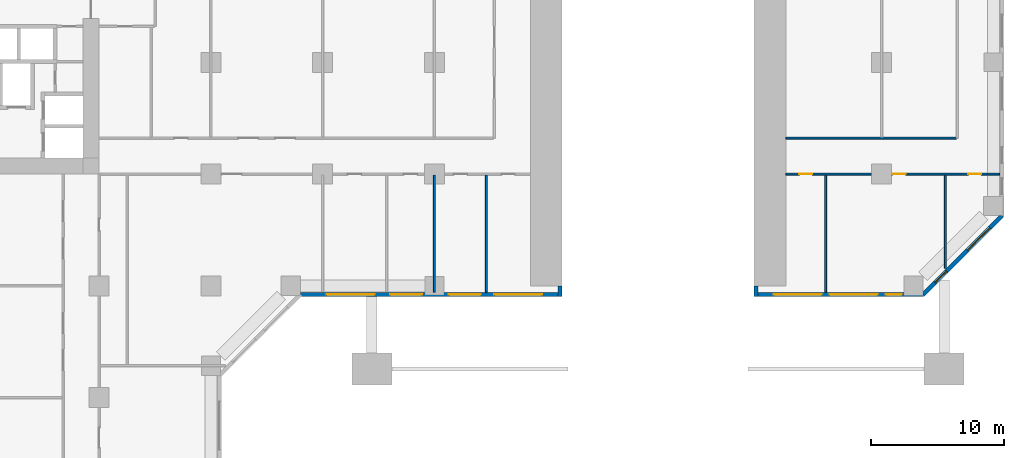
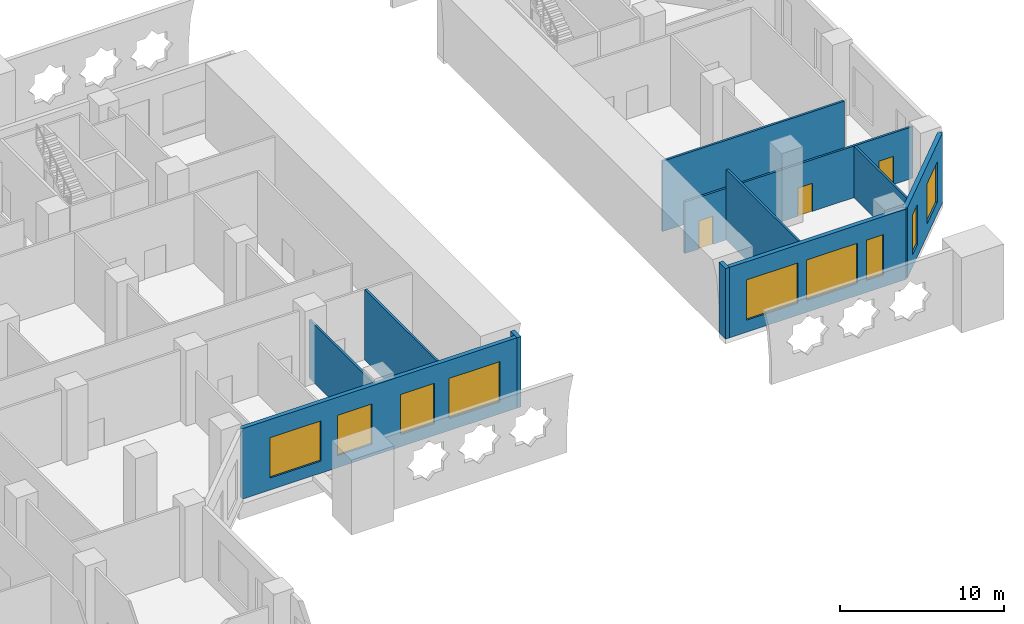
# One storey, part 6 of 17: 11 walls, 9 windows, 3 doors, 12 openings.
"""IFC4 building model written with IfcOpenShell, lengths in metres."""

from ifc_helpers import new_model, si_unit, direction, frame, frame_2d, origin, place, context, subcontext, project, spatial, rectangle, extrude, material, layer, layer_set, type_object, element, fill, save


model = new_model("IFC4")

# Units and contexts
model_context = context("Model", 3, precision=1e-05, world=origin(), true_north=direction((0.0, 1.0)))
body_context = subcontext(model_context, "Body", "Model", "MODEL_VIEW")
ifc_project = project(units=[si_unit("LENGTHUNIT", "METRE"), si_unit("AREAUNIT", "SQUARE_METRE"), si_unit("VOLUMEUNIT", "CUBIC_METRE"), si_unit("PLANEANGLEUNIT", "RADIAN"), si_unit("MASSUNIT", "GRAM", prefix="KILO")], contexts=[model_context])

# Site, building, storey
site_placement = place(None, origin())
site = spatial("IfcSite", under=ifc_project, at=site_placement, CompositionType="ELEMENT")
building_placement = place(site_placement, origin())
building = spatial("IfcBuilding", under=site, at=building_placement, Name="Kawkab Arch Medical Tower", CompositionType="ELEMENT")
storey_placement = place(building_placement, frame((0.0, 0.0, 7.0)))
storey = spatial("IfcBuildingStorey", under=building, at=storey_placement, Name="L02", CompositionType="ELEMENT", Elevation=7.0)

# Wall, openings, doors
ifc_material_1 = material(Name="Gypsum board partition on steel studs, mineral wool", Category="steel")
ifc_layer_1 = layer(ifc_material_1, 0.14990234375)
ifc_layer_set_1 = layer_set([ifc_layer_1], Name="Gypsum board partition on steel studs, mineral wool")
wall_type_1 = type_object("IfcWallType", Name="Partition 150", PredefinedType="PARTITIONING", material=ifc_layer_set_1)
wall_1_placement = place(storey_placement, frame((76.800048828125, -25.199951171875, 0.0), z_axis=(0.0, 0.0, 1.0), x_axis=(1.0, 0.0, 0.0)))
wall_1 = element("IfcWall", 1, at=wall_1_placement, inside=storey, type_object=wall_type_1, Name="Partition 150 w029", PredefinedType="PARTITIONING", context=body_context, shape_type="SweptSolid", body=[
    extrude(rectangle(XDim=16.079833984375, YDim=0.14990234375, at=frame_2d((8.0400390625, 0.0))), origin(), (0.0, 0.0, 1.0), 3.85009765625),
])
opening_1_placement = place(wall_1_placement, frame((1.0, 0.0, 0.0)))
opening_1 = element("IfcOpeningElement", 2, at=opening_1_placement, cuts=wall_1, Name="Opening P02-040", PredefinedType="OPENING", context=body_context, shape_type="SweptSolid", body=[
    extrude(rectangle(XDim=1.0, YDim=2.10009765625, at=frame_2d((0.5, 1.050048828125))), frame((0.0, 0.0849609375, 0.0), z_axis=(0.0, -1.0, 0.0), x_axis=(1.0, 0.0, 0.0)), (0.0, 0.0, 1.0), 0.169921875),
])
opening_2_placement = place(wall_1_placement, frame((8.0, 0.0, 0.0)))
opening_2 = element("IfcOpeningElement", 3, at=opening_2_placement, cuts=wall_1, Name="Opening P02-041", PredefinedType="OPENING", context=body_context, shape_type="SweptSolid", body=[
    extrude(rectangle(XDim=1.0, YDim=2.10009765625, at=frame_2d((0.5, 1.050048828125))), frame((0.0, 0.0849609375, 0.0), z_axis=(0.0, -1.0, 0.0), x_axis=(1.0, 0.0, 0.0)), (0.0, 0.0, 1.0), 0.169921875),
])
opening_3_placement = place(wall_1_placement, frame((13.699951171875, 0.0, 0.0)))
opening_3 = element("IfcOpeningElement", 4, at=opening_3_placement, cuts=wall_1, Name="Opening P02-042", PredefinedType="OPENING", context=body_context, shape_type="SweptSolid", body=[
    extrude(rectangle(XDim=1.0, YDim=2.10009765625, at=frame_2d((0.5, 1.050048828125))), frame((0.0, 0.0849609375, 0.0), z_axis=(0.0, -1.0, 0.0), x_axis=(1.0, 0.0, 0.0)), (0.0, 0.0, 1.0), 0.169921875),
])
ifc_material_2 = material(Name="Hollow metal door leaf")
door_type = type_object("IfcDoorType", Name="Single door 1000x2100 FD30S", OperationType="NOTDEFINED", PredefinedType="DOOR", material=ifc_material_2)
door_1_placement = place(opening_1_placement, origin())
door_1 = element("IfcDoor", 5, at=door_1_placement, inside=storey, type_object=door_type, Name="Door P02-040", OperationType="SINGLE_SWING_RIGHT", OverallHeight=2.10009765625, OverallWidth=1.0, PredefinedType="DOOR", context=body_context, shape_type="SweptSolid", body=[
    extrude(rectangle(XDim=1.0, YDim=2.10009765625, at=frame_2d((0.5, 1.050048828125))), frame((0.0, 0.02490234375, 0.0), z_axis=(0.0, -1.0, 0.0), x_axis=(1.0, 0.0, 0.0)), (0.0, 0.0, 1.0), 0.050048828125),
])
fill(opening_1, door_1)
door_2_placement = place(opening_2_placement, origin())
door_2 = element("IfcDoor", 6, at=door_2_placement, inside=storey, type_object=door_type, Name="Door P02-041", OperationType="SINGLE_SWING_LEFT", OverallHeight=2.10009765625, OverallWidth=1.0, PredefinedType="DOOR", context=body_context, shape_type="SweptSolid", body=[
    extrude(rectangle(XDim=1.0, YDim=2.10009765625, at=frame_2d((0.5, 1.050048828125))), frame((0.0, 0.02490234375, 0.0), z_axis=(0.0, -1.0, 0.0), x_axis=(1.0, 0.0, 0.0)), (0.0, 0.0, 1.0), 0.050048828125),
])
fill(opening_2, door_2)
door_3_placement = place(opening_3_placement, origin())
door_3 = element("IfcDoor", 7, at=door_3_placement, inside=storey, type_object=door_type, Name="Door P02-042", OperationType="SINGLE_SWING_LEFT", OverallHeight=2.10009765625, OverallWidth=1.0, PredefinedType="DOOR", context=body_context, shape_type="SweptSolid", body=[
    extrude(rectangle(XDim=1.0, YDim=2.10009765625, at=frame_2d((0.5, 1.050048828125))), frame((0.0, 0.02490234375, 0.0), z_axis=(0.0, -1.0, 0.0), x_axis=(1.0, 0.0, 0.0)), (0.0, 0.0, 1.0), 0.050048828125),
])
fill(opening_3, door_3)

# Walls
wall_2_placement = place(storey_placement, frame((76.800048828125, -22.5, 0.0), z_axis=(0.0, 0.0, 1.0), x_axis=(1.0, 0.0, 0.0)))
element("IfcWall", 8, at=wall_2_placement, inside=storey, type_object=wall_type_1, Name="Partition 150 w031", PredefinedType="PARTITIONING", context=body_context, shape_type="SweptSolid", body=[
    extrude(rectangle(XDim=12.824951171875, YDim=0.14990234375, at=frame_2d((6.41259765625, 0.0))), origin(), (0.0, 0.0, 1.0), 5.25),
])
wall_3_placement = place(storey_placement, frame((50.39990234375, -34.080078125, 0.0), z_axis=(0.0, 0.0, 1.0), x_axis=(0.0, 1.0, 0.0)))
element("IfcWall", 9, at=wall_3_placement, inside=storey, type_object=wall_type_1, Name="Partition 150 w064", PredefinedType="PARTITIONING", context=body_context, shape_type="SweptSolid", body=[
    extrude(rectangle(XDim=8.80517578125, YDim=0.14990234375, at=frame_2d((4.402587890625, 0.0))), origin(), (0.0, 0.0, 1.0), 4.35009765625),
])
for number, where, z_axis, x_axis, name in (
    (10, (54.300048828125, -34.080078125, 0.0), (0.0, 0.0, 1.0), (0.0, 1.0, 0.0), "Partition 150 w068"),
    (11, (79.800048828125, -34.080078125, 0.0), (0.0, 0.0, 1.0), (0.0, 1.0, 0.0), "Partition 150 w070"),
):
    element("IfcWall", number, at=place(storey_placement, frame(where, z_axis=z_axis, x_axis=x_axis)), inside=storey, type_object=wall_type_1, Name=name, PredefinedType="PARTITIONING", context=body_context, shape_type="SweptSolid", body=[
        extrude(rectangle(XDim=8.80517578125, YDim=0.14990234375, at=frame_2d((4.402587890625, 0.0))), origin(), (0.0, 0.0, 1.0), 5.25),
    ])
wall_4_placement = place(storey_placement, frame((88.800048828125, -32.287109375, 0.0), z_axis=(0.0, 0.0, 1.0), x_axis=(0.0, 1.0, 0.0)))
element("IfcWall", 12, at=wall_4_placement, inside=storey, type_object=wall_type_1, Name="Partition 150 w072", PredefinedType="PARTITIONING", context=body_context, shape_type="SweptSolid", body=[
    extrude(rectangle(XDim=7.01220703125, YDim=0.14990234375, at=frame_2d((3.506103515625, 0.0))), origin(), (0.0, 0.0, 1.0), 3.85009765625),
])

# Wall, openings, windows
ifc_material_3 = material(Name="Bronze clad insulated wall panel")
ifc_layer_2 = layer(ifc_material_3, 0.300048828125)
ifc_layer_set_2 = layer_set([ifc_layer_2], Name="Bronze clad insulated wall panel")
wall_type_2 = type_object("IfcWallType", Name="Podium external wall 300", PredefinedType="SOLIDWALL", material=ifc_layer_set_2)
wall_5_placement = place(storey_placement, frame((40.337890625, -34.25, 0.0), z_axis=(0.0, 0.0, 1.0), x_axis=(1.0, 0.0, 0.0)))
wall_5 = element("IfcWall", 13, at=wall_5_placement, inside=storey, type_object=wall_type_2, Name="Podium external wall L02 R03", PredefinedType="SOLIDWALL", context=body_context, shape_type="SweptSolid", body=[
    extrude(rectangle(XDim=19.51220703125, YDim=0.300048828125, at=frame_2d((9.756103515625, 0.0))), origin(), (0.0, 0.0, 1.0), 5.25),
])
opening_4_placement = place(wall_5_placement, frame((1.962158203125, 0.0, 0.89990234375)))
opening_4 = element("IfcOpeningElement", 14, at=opening_4_placement, cuts=wall_5, Name="Opening PBW360-30-S9", PredefinedType="OPENING", context=body_context, shape_type="SweptSolid", body=[
    extrude(rectangle(XDim=3.60009765625, YDim=3.0, at=frame_2d((1.800048828125, 1.5))), frame((0.0, 0.159912109375, 0.0), z_axis=(0.0, -1.0, 0.0), x_axis=(1.0, 0.0, 0.0)), (0.0, 0.0, 1.0), 0.320068359375),
])
opening_5_placement = place(wall_5_placement, frame((6.72705078125, 0.0, 0.89990234375)))
opening_5 = element("IfcOpeningElement", 15, at=opening_5_placement, cuts=wall_5, Name="Opening PBW240-30-S9", PredefinedType="OPENING", context=body_context, shape_type="SweptSolid", body=[
    extrude(rectangle(XDim=2.39990234375, YDim=3.0, at=frame_2d((1.199951171875, 1.5))), frame((0.0, 0.159912109375, 0.0), z_axis=(0.0, -1.0, 0.0), x_axis=(1.0, 0.0, 0.0)), (0.0, 0.0, 1.0), 0.320068359375),
])
opening_6_placement = place(wall_5_placement, frame((11.147216796875, 0.0, 0.89990234375)))
opening_6 = element("IfcOpeningElement", 16, at=opening_6_placement, cuts=wall_5, Name="Opening PBW240-30-S9", PredefinedType="OPENING", context=body_context, shape_type="SweptSolid", body=[
    extrude(rectangle(XDim=2.39990234375, YDim=3.0, at=frame_2d((1.199951171875, 1.5))), frame((0.0, 0.159912109375, 0.0), z_axis=(0.0, -1.0, 0.0), x_axis=(1.0, 0.0, 0.0)), (0.0, 0.0, 1.0), 0.320068359375),
])
opening_7_placement = place(wall_5_placement, frame((14.56201171875, 0.0, 0.89990234375)))
opening_7 = element("IfcOpeningElement", 17, at=opening_7_placement, cuts=wall_5, Name="Opening PBW360-30-S9", PredefinedType="OPENING", context=body_context, shape_type="SweptSolid", body=[
    extrude(rectangle(XDim=3.60009765625, YDim=3.0, at=frame_2d((1.800048828125, 1.5))), frame((0.0, 0.159912109375, 0.0), z_axis=(0.0, -1.0, 0.0), x_axis=(1.0, 0.0, 0.0)), (0.0, 0.0, 1.0), 0.320068359375),
])
ifc_material_4 = material(Name="Bronze anodised aluminium louvred window", Category="aluminium")
window_type_1 = type_object("IfcWindowType", Name="Podium band window 2400 x 3000 sill 900", PartitioningType="DOUBLE_PANEL_VERTICAL", PredefinedType="WINDOW", material=ifc_material_4)
window_1_placement = place(opening_5_placement, origin())
window_1 = element("IfcWindow", 18, at=window_1_placement, inside=storey, type_object=window_type_1, Name="Band window L02 R03.2", OverallHeight=3.0, OverallWidth=2.39990234375, PartitioningType="SINGLE_PANEL", PredefinedType="WINDOW", context=body_context, shape_type="SweptSolid", body=[
    extrude(rectangle(XDim=2.39990234375, YDim=3.0, at=frame_2d((1.199951171875, 1.5))), frame((0.0, 0.030029296875, 0.0), z_axis=(0.0, -1.0, 0.0), x_axis=(1.0, 0.0, 0.0)), (0.0, 0.0, 1.0), 0.06005859375),
])
fill(opening_5, window_1)
window_2_placement = place(opening_6_placement, origin())
window_2 = element("IfcWindow", 19, at=window_2_placement, inside=storey, type_object=window_type_1, Name="Band window L02 R03.3", OverallHeight=3.0, OverallWidth=2.39990234375, PartitioningType="SINGLE_PANEL", PredefinedType="WINDOW", context=body_context, shape_type="SweptSolid", body=[
    extrude(rectangle(XDim=2.39990234375, YDim=3.0, at=frame_2d((1.199951171875, 1.5))), frame((0.0, 0.030029296875, 0.0), z_axis=(0.0, -1.0, 0.0), x_axis=(1.0, 0.0, 0.0)), (0.0, 0.0, 1.0), 0.06005859375),
])
fill(opening_6, window_2)
ifc_material_5 = material(Name="Bronze anodised aluminium louvred window", Category="aluminium")
window_type_2 = type_object("IfcWindowType", Name="Podium band window 3600 x 3000 sill 900", PartitioningType="DOUBLE_PANEL_VERTICAL", PredefinedType="WINDOW", material=ifc_material_5)
window_3_placement = place(opening_4_placement, origin())
window_3 = element("IfcWindow", 20, at=window_3_placement, inside=storey, type_object=window_type_2, Name="Band window L02 R03.1", OverallHeight=3.0, OverallWidth=3.60009765625, PartitioningType="SINGLE_PANEL", PredefinedType="WINDOW", context=body_context, shape_type="SweptSolid", body=[
    extrude(rectangle(XDim=3.60009765625, YDim=3.0, at=frame_2d((1.800048828125, 1.5))), frame((0.0, 0.030029296875, 0.0), z_axis=(0.0, -1.0, 0.0), x_axis=(1.0, 0.0, 0.0)), (0.0, 0.0, 1.0), 0.06005859375),
])
fill(opening_4, window_3)
window_4_placement = place(opening_7_placement, origin())
window_4 = element("IfcWindow", 21, at=window_4_placement, inside=storey, type_object=window_type_2, Name="Band window L02 R03.4", OverallHeight=3.0, OverallWidth=3.60009765625, PartitioningType="SINGLE_PANEL", PredefinedType="WINDOW", context=body_context, shape_type="SweptSolid", body=[
    extrude(rectangle(XDim=3.60009765625, YDim=3.0, at=frame_2d((1.800048828125, 1.5))), frame((0.0, 0.030029296875, 0.0), z_axis=(0.0, -1.0, 0.0), x_axis=(1.0, 0.0, 0.0)), (0.0, 0.0, 1.0), 0.06005859375),
])
fill(opening_7, window_4)

# Walls
for number, where, z_axis, x_axis, name in (
    (22, (59.85009765625, -34.39990234375, 0.0), (0.0, 0.0, 1.0), (0.0, 1.0, 0.0), "Podium slot-side wall L02 R04.1"),
    (23, (74.550048828125, -33.60009765625, 0.0), (0.0, 0.0, 1.0), (0.0, -1.0, 0.0), "Podium slot-side wall L02 R14.1"),
):
    element("IfcWall", number, at=place(storey_placement, frame(where, z_axis=z_axis, x_axis=x_axis)), inside=storey, type_object=wall_type_2, Name=name, PredefinedType="SOLIDWALL", context=body_context, shape_type="SweptSolid", body=[
        extrude(rectangle(XDim=0.7998046875, YDim=0.300048828125, at=frame_2d((0.39990234375, 0.0))), origin(), (0.0, 0.0, 1.0), 5.25),
    ])

# Wall, openings, windows
wall_6_placement = place(storey_placement, frame((74.550048828125, -34.25, 0.0), z_axis=(0.0, 0.0, 1.0), x_axis=(1.0, 0.0, 0.0)))
wall_6 = element("IfcWall", 24, at=wall_6_placement, inside=storey, type_object=wall_type_2, Name="Podium external wall L02 R15", PredefinedType="SOLIDWALL", context=body_context, shape_type="SweptSolid", body=[
    extrude(rectangle(XDim=12.587890625, YDim=0.300048828125, at=frame_2d((6.2939453125, 0.0))), origin(), (0.0, 0.0, 1.0), 5.25),
])
opening_8_placement = place(wall_6_placement, frame((1.35009765625, 0.0, 0.89990234375)))
opening_8 = element("IfcOpeningElement", 25, at=opening_8_placement, cuts=wall_6, Name="Opening PBW360-30-S9", PredefinedType="OPENING", context=body_context, shape_type="SweptSolid", body=[
    extrude(rectangle(XDim=3.60009765625, YDim=3.0, at=frame_2d((1.800048828125, 1.5))), frame((0.0, 0.159912109375, 0.0), z_axis=(0.0, -1.0, 0.0), x_axis=(1.0, 0.0, 0.0)), (0.0, 0.0, 1.0), 0.320068359375),
])
opening_9_placement = place(wall_6_placement, frame((5.550048828125, 0.0, 0.89990234375)))
opening_9 = element("IfcOpeningElement", 26, at=opening_9_placement, cuts=wall_6, Name="Opening PBW360-30-S9", PredefinedType="OPENING", context=body_context, shape_type="SweptSolid", body=[
    extrude(rectangle(XDim=3.60009765625, YDim=3.0, at=frame_2d((1.800048828125, 1.5))), frame((0.0, 0.159912109375, 0.0), z_axis=(0.0, -1.0, 0.0), x_axis=(1.0, 0.0, 0.0)), (0.0, 0.0, 1.0), 0.320068359375),
])
opening_10_placement = place(wall_6_placement, frame((9.777587890625, 0.0, 0.89990234375)))
opening_10 = element("IfcOpeningElement", 27, at=opening_10_placement, cuts=wall_6, Name="Opening PBW120-30-S9", PredefinedType="OPENING", context=body_context, shape_type="SweptSolid", body=[
    extrude(rectangle(XDim=1.199951171875, YDim=3.0, at=frame_2d((0.60009765625, 1.5))), frame((0.0, 0.159912109375, 0.0), z_axis=(0.0, -1.0, 0.0), x_axis=(1.0, 0.0, 0.0)), (0.0, 0.0, 1.0), 0.320068359375),
])
ifc_material_6 = material(Name="Bronze anodised aluminium louvred window", Category="aluminium")
window_type_3 = type_object("IfcWindowType", Name="Podium band window 1200 x 3000 sill 900", PartitioningType="DOUBLE_PANEL_VERTICAL", PredefinedType="WINDOW", material=ifc_material_6)
window_5_placement = place(opening_10_placement, origin())
window_5 = element("IfcWindow", 28, at=window_5_placement, inside=storey, type_object=window_type_3, Name="Band window L02 R15.3", OverallHeight=3.0, OverallWidth=1.199951171875, PartitioningType="SINGLE_PANEL", PredefinedType="WINDOW", context=body_context, shape_type="SweptSolid", body=[
    extrude(rectangle(XDim=1.199951171875, YDim=3.0, at=frame_2d((0.60009765625, 1.5))), frame((0.0, 0.030029296875, 0.0), z_axis=(0.0, -1.0, 0.0), x_axis=(1.0, 0.0, 0.0)), (0.0, 0.0, 1.0), 0.06005859375),
])
fill(opening_10, window_5)
window_6_placement = place(opening_8_placement, origin())
window_6 = element("IfcWindow", 29, at=window_6_placement, inside=storey, type_object=window_type_2, Name="Band window L02 R15.1", OverallHeight=3.0, OverallWidth=3.60009765625, PartitioningType="SINGLE_PANEL", PredefinedType="WINDOW", context=body_context, shape_type="SweptSolid", body=[
    extrude(rectangle(XDim=3.60009765625, YDim=3.0, at=frame_2d((1.800048828125, 1.5))), frame((0.0, 0.030029296875, 0.0), z_axis=(0.0, -1.0, 0.0), x_axis=(1.0, 0.0, 0.0)), (0.0, 0.0, 1.0), 0.06005859375),
])
fill(opening_8, window_6)
window_7_placement = place(opening_9_placement, origin())
window_7 = element("IfcWindow", 30, at=window_7_placement, inside=storey, type_object=window_type_2, Name="Band window L02 R15.2", OverallHeight=3.0, OverallWidth=3.60009765625, PartitioningType="SINGLE_PANEL", PredefinedType="WINDOW", context=body_context, shape_type="SweptSolid", body=[
    extrude(rectangle(XDim=3.60009765625, YDim=3.0, at=frame_2d((1.800048828125, 1.5))), frame((0.0, 0.030029296875, 0.0), z_axis=(0.0, -1.0, 0.0), x_axis=(1.0, 0.0, 0.0)), (0.0, 0.0, 1.0), 0.06005859375),
])
fill(opening_9, window_7)

wall_7_placement = place(storey_placement, frame((87.137939453125, -34.25, 0.0), z_axis=(0.0, 0.0, 1.0), x_axis=(0.707106781187, 0.707106781187, 0.0)))
wall_7 = element("IfcWall", 31, at=wall_7_placement, inside=storey, type_object=wall_type_2, Name="Podium external wall L02 R16", PredefinedType="SOLIDWALL", context=body_context, shape_type="SweptSolid", body=[
    extrude(rectangle(XDim=8.361083984375, YDim=0.300048828125, at=frame_2d((4.1806640625, 0.0))), origin(), (0.0, 0.0, 1.0), 5.25),
])
opening_11_placement = place(wall_7_placement, frame((1.26708984375, 0.0, 0.89990234375)))
opening_11 = element("IfcOpeningElement", 32, at=opening_11_placement, cuts=wall_7, Name="Opening PBW120-30-S9", PredefinedType="OPENING", context=body_context, shape_type="SweptSolid", body=[
    extrude(rectangle(XDim=1.199951171875, YDim=3.0, at=frame_2d((0.60009765625, 1.5))), frame((0.0, 0.159912109375, 0.0), z_axis=(0.0, -1.0, 0.0), x_axis=(1.0, 0.0, 0.0)), (0.0, 0.0, 1.0), 0.320068359375),
])
opening_12_placement = place(wall_7_placement, frame((4.67919921875, 0.0, 0.89990234375)))
opening_12 = element("IfcOpeningElement", 33, at=opening_12_placement, cuts=wall_7, Name="Opening PBW240-30-S9", PredefinedType="OPENING", context=body_context, shape_type="SweptSolid", body=[
    extrude(rectangle(XDim=2.39990234375, YDim=3.0, at=frame_2d((1.199951171875, 1.5))), frame((0.0, 0.159912109375, 0.0), z_axis=(0.0, -1.0, 0.0), x_axis=(1.0, 0.0, 0.0)), (0.0, 0.0, 1.0), 0.320068359375),
])
window_8_placement = place(opening_11_placement, origin())
window_8 = element("IfcWindow", 34, at=window_8_placement, inside=storey, type_object=window_type_3, Name="Band window L02 R16.1", OverallHeight=3.0, OverallWidth=1.199951171875, PartitioningType="SINGLE_PANEL", PredefinedType="WINDOW", context=body_context, shape_type="SweptSolid", body=[
    extrude(rectangle(XDim=1.199951171875, YDim=3.0, at=frame_2d((0.60009765625, 1.5))), frame((0.0, 0.030029296875, 0.0), z_axis=(0.0, -1.0, 0.0), x_axis=(1.0, 0.0, 0.0)), (0.0, 0.0, 1.0), 0.06005859375),
])
fill(opening_11, window_8)
window_9_placement = place(opening_12_placement, origin())
window_9 = element("IfcWindow", 35, at=window_9_placement, inside=storey, type_object=window_type_1, Name="Band window L02 R16.2", OverallHeight=3.0, OverallWidth=2.39990234375, PartitioningType="SINGLE_PANEL", PredefinedType="WINDOW", context=body_context, shape_type="SweptSolid", body=[
    extrude(rectangle(XDim=2.39990234375, YDim=3.0, at=frame_2d((1.199951171875, 1.5))), frame((0.0, 0.030029296875, 0.0), z_axis=(0.0, -1.0, 0.0), x_axis=(1.0, 0.0, 0.0)), (0.0, 0.0, 1.0), 0.06005859375),
])
fill(opening_12, window_9)

save(model, "model.ifc")
